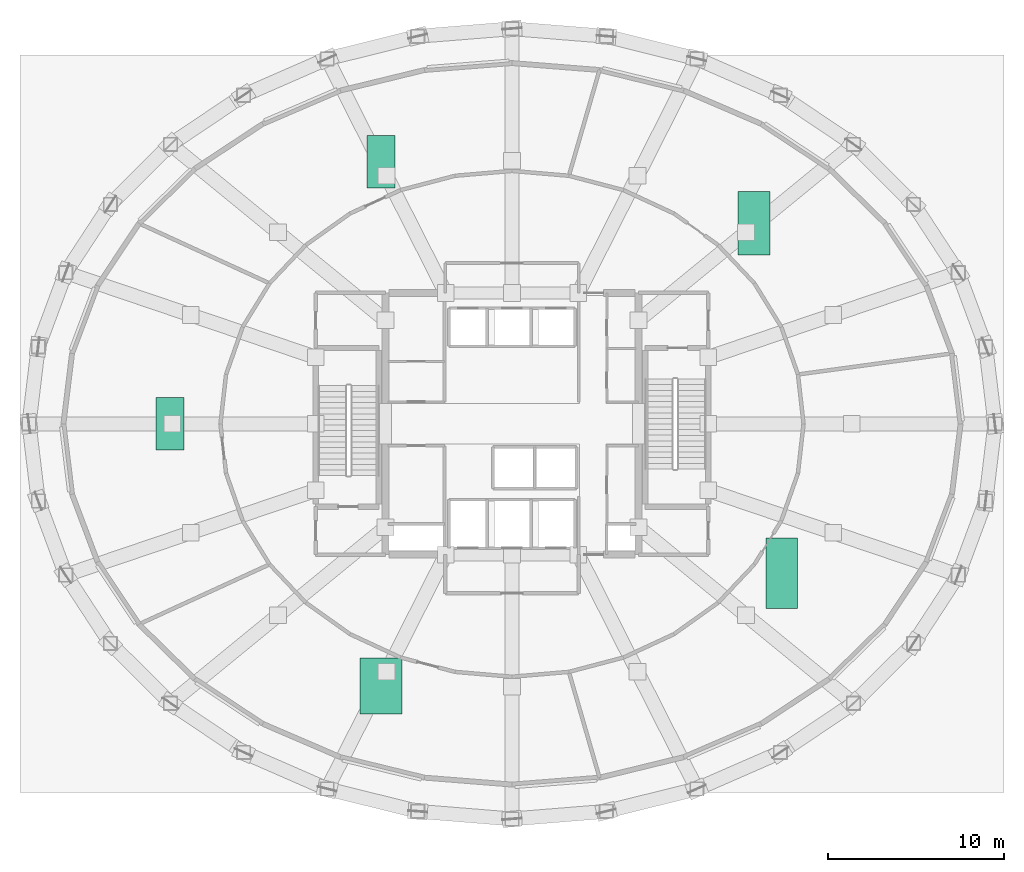
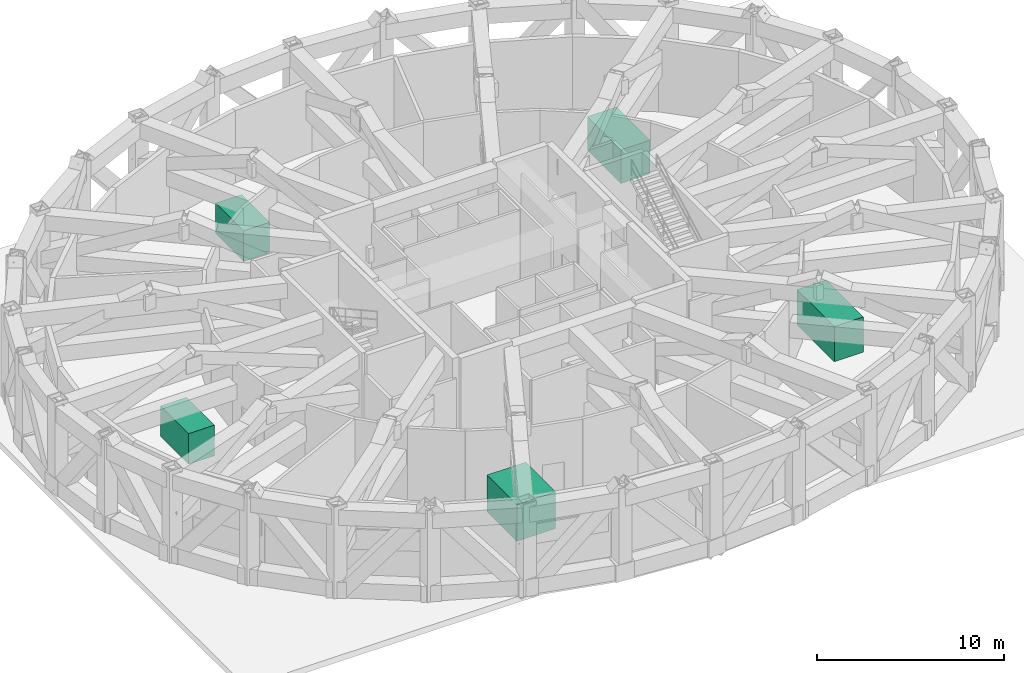
# One storey, part 12 of 12: 2 unitary equipment elements, 1 chiller, 1 electric generator, 1 tank.
"""IFC4 building model written with IfcOpenShell, lengths in metres."""

from ifc_helpers import new_model, si_unit, direction, frame, origin, origin_2d, place, context, subcontext, project, spatial, rectangle, extrude, material, type_object, element, save


model = new_model("IFC4")

# Units and contexts
model_context = context("Model", 3, precision=1e-05, world=origin(), true_north=direction((0.0, 1.0)))
body_context = subcontext(model_context, "Body", "Model", "MODEL_VIEW")
ifc_project = project(units=[si_unit("LENGTHUNIT", "METRE"), si_unit("AREAUNIT", "SQUARE_METRE"), si_unit("VOLUMEUNIT", "CUBIC_METRE"), si_unit("PLANEANGLEUNIT", "RADIAN"), si_unit("MASSUNIT", "GRAM", prefix="KILO")], contexts=[model_context])

# Site, building, storey
site_placement = place(None, origin())
site = spatial("IfcSite", under=ifc_project, at=site_placement, CompositionType="ELEMENT")
building_placement = place(site_placement, origin())
building = spatial("IfcBuilding", under=site, at=building_placement, Name="Veldorina Hangang Commons", CompositionType="ELEMENT")
storey_placement = place(building_placement, frame((0.0, 0.0, 24.39990234375)))
storey = spatial("IfcBuildingStorey", under=building, at=storey_placement, Name="L05", CompositionType="ELEMENT", Elevation=24.39990234375)

# Unitary equipment
ifc_material_1 = material(Name="Aluminium Insulated Double-Skin Casing", Category="aluminium")
unitary_equipment_type = type_object("IfcUnitaryEquipmentType", Name="EQ-AHU-1", PredefinedType="AIRHANDLER", material=ifc_material_1)
for number, where, z_axis, x_axis, name in (
    (1, (24.544677734375, 38.92333984375, 0.0), (0.0, 0.0, 1.0), (1.0, 0.0, 0.0), "L05 Podium Air Handling Plant Room equipment 007"),
    (2, (12.5185546875, 24.0, 0.0), (0.0, 0.0, 1.0), (1.0, 0.0, 0.0), "L05 Telecom Distribution Plant Room equipment 008"),
):
    element("IfcUnitaryEquipment", number, at=place(storey_placement, frame(where, z_axis=z_axis, x_axis=x_axis)), inside=storey, type_object=unitary_equipment_type, Name=name, PredefinedType="AIRHANDLER", context=body_context, shape_type="SweptSolid", body=[
        extrude(rectangle(XDim=1.60009765625, YDim=3.0, at=origin_2d()), origin(), (0.0, 0.0, 1.0), 2.0),
    ])

# Chiller
ifc_material_2 = material(Name="Steel Powder-Coated Enclosure", Category="steel")
chiller_type = type_object("IfcChillerType", Name="EQ-CHILLER-1", PredefinedType="AIRCOOLED", material=ifc_material_2)
chiller_placement = place(storey_placement, frame((45.775390625, 35.421875, 0.0), z_axis=(0.0, 0.0, 1.0), x_axis=(1.0, 0.0, 0.0)))
element("IfcChiller", 3, at=chiller_placement, inside=storey, type_object=chiller_type, Name="L05 Central Chiller Plant Room equipment 006", PredefinedType="AIRCOOLED", context=body_context, shape_type="SweptSolid", body=[
    extrude(rectangle(XDim=1.800048828125, YDim=3.60009765625, at=origin_2d()), origin(), (0.0, 0.0, 1.0), 2.199951171875),
])

# Electric generator
ifc_material_3 = material(Name="Steel Acoustic Generator Canopy", Category="steel")
electric_generator_type = type_object("IfcElectricGeneratorType", Name="EQ-GEN-1", PredefinedType="ENGINEGENERATOR", material=ifc_material_3)
electric_generator_placement = place(storey_placement, frame((47.3515625, 15.4951171875, 0.0), z_axis=(0.0, 0.0, 1.0), x_axis=(1.0, 0.0, 0.0)))
element("IfcElectricGenerator", 4, at=electric_generator_placement, inside=storey, type_object=electric_generator_type, Name="L05 Main Electrical Switchgear Room equipment 010", PredefinedType="ENGINEGENERATOR", context=body_context, shape_type="SweptSolid", body=[
    extrude(rectangle(XDim=1.800048828125, YDim=4.0, at=origin_2d()), origin(), (0.0, 0.0, 1.0), 2.300048828125),
])

# Tank
ifc_material_4 = material(Name="Stainless Steel Panel Tank 316L", Category="steel")
tank_type = type_object("IfcTankType", Name="EQ-TANK-1", PredefinedType="STORAGE", material=ifc_material_4)
tank_placement = place(storey_placement, frame((24.544677734375, 9.07666015625, 0.000244140625), z_axis=(0.0, 0.0, 1.0), x_axis=(1.0, 0.0, 0.0)))
element("IfcTank", 5, at=tank_placement, inside=storey, type_object=tank_type, Name="L05 Transfer Booster Pump and Tank Room equipment 009", PredefinedType="STORAGE", context=body_context, shape_type="SweptSolid", body=[
    extrude(rectangle(XDim=2.39990234375, YDim=3.199951171875, at=origin_2d()), origin(), (0.0, 0.0, 1.0), 2.39990234375),
])

save(model, "model.ifc")
